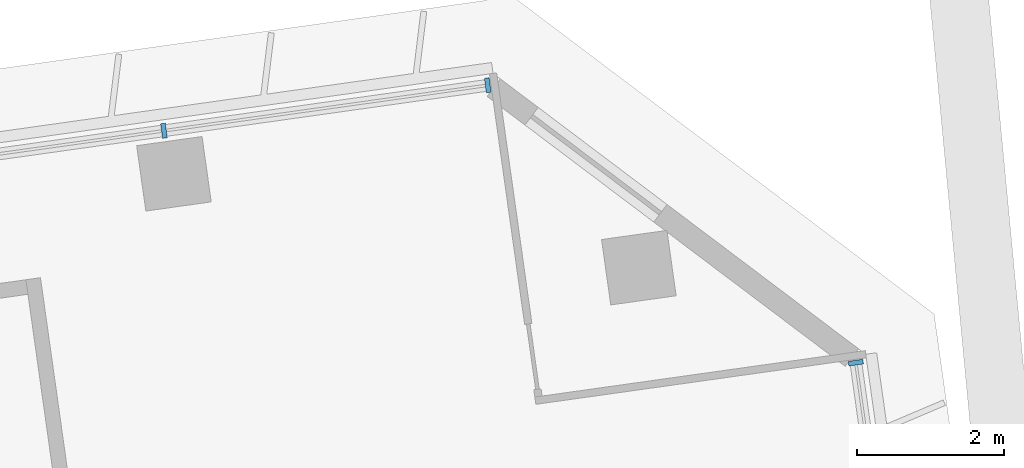
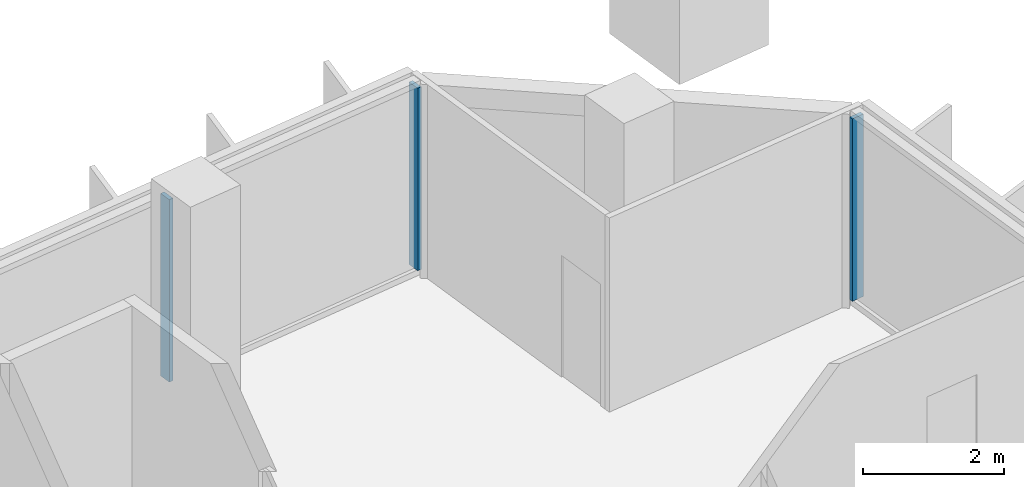
# One storey, part 18 of 33: 3 members, 2 elements without a shape of their own.
"""IFC4 building model written with IfcOpenShell, lengths in metres."""

from ifc_helpers import new_model, si_unit, direction, frame, origin, origin_2d, place, context, subcontext, project, spatial, rectangle, extrude, material, material_profile, profile_set, type_object, element, aggregate, save


model = new_model("IFC4")

# Units and contexts
model_context = context("Model", 3, precision=1e-05, world=origin(), true_north=direction((0.0, 1.0)))
body_context = subcontext(model_context, "Body", "Model", "MODEL_VIEW")
ifc_project = project(units=[si_unit("LENGTHUNIT", "METRE"), si_unit("AREAUNIT", "SQUARE_METRE"), si_unit("VOLUMEUNIT", "CUBIC_METRE"), si_unit("PLANEANGLEUNIT", "RADIAN"), si_unit("MASSUNIT", "GRAM", prefix="KILO")], contexts=[model_context])

# Site, building, storey
site_placement = place(None, origin())
site = spatial("IfcSite", under=ifc_project, at=site_placement, CompositionType="ELEMENT")
building_placement = place(site_placement, origin())
building = spatial("IfcBuilding", under=site, at=building_placement, Name="Mirante Cascada Hotel Towers", CompositionType="ELEMENT")
storey_placement = place(building_placement, frame((0.0, 0.0, 121.5)))
storey = spatial("IfcBuildingStorey", under=building, at=storey_placement, Name="L27", CompositionType="ELEMENT", Elevation=121.5)

# Curtain wall, members
ifc_material_1 = material(Name="Aluminium mullion and transom frame with clear laminated glass", Category="aluminium")
curtain_wall_type_1 = type_object("IfcCurtainWallType", Name="Ribbon curtain wall ECW1", PredefinedType="NOTDEFINED", material=ifc_material_1)
curtain_wall_1_placement = place(storey_placement, origin())
curtain_wall_1 = element("IfcCurtainWall", 1, at=curtain_wall_1_placement, inside=storey, type_object=curtain_wall_type_1, Name="Front ribbon wall T2 L27", PredefinedType="NOTDEFINED")
ifc_material_2 = material(Name="Anodised aluminium extrusion", Category="aluminium")
ifc_material_profile_1 = material_profile(ifc_material_2, rectangle(XDim=0.2, YDim=0.065, at=origin_2d()), Name="ECW1 MULLION 65x200")
ifc_profile_set_1 = profile_set([ifc_material_profile_1], Name="Anodised aluminium extrusion")
member_type_1 = type_object("IfcMemberType", Name="ECW1 mullion 65x200", PredefinedType="MULLION", material=ifc_profile_set_1)
member_1_placement = place(storey_placement, frame((94.126, 26.0476, 0.1), z_axis=(0.0, 0.0, 1.0), x_axis=(0.1391731, -0.9902681, 0.0)))
member_1 = element("IfcMember", 2, at=member_1_placement, type_object=member_type_1, Name="ECW1 mullion 1", PredefinedType="MULLION", context=body_context, shape_type="SweptSolid", body=[
    extrude(rectangle(XDim=0.2, YDim=0.065, at=origin_2d()), origin(), (0.0, 0.0, 1.0), 3.15),
])
member_2_placement = place(storey_placement, frame((89.7107, 25.427, 0.1), z_axis=(0.0, 0.0, 1.0), x_axis=(0.1391731, -0.9902681, 0.0)))
member_2 = element("IfcMember", 3, at=member_2_placement, type_object=member_type_1, Name="ECW1 mullion 2", PredefinedType="MULLION", context=body_context, shape_type="SweptSolid", body=[
    extrude(rectangle(XDim=0.2, YDim=0.065, at=origin_2d()), origin(), (0.0, 0.0, 1.0), 3.15),
])
aggregate(curtain_wall_1, [member_1, member_2])

# Curtain wall, member
ifc_material_3 = material(Name="Aluminium mullion and transom frame with clear laminated glass", Category="aluminium")
curtain_wall_type_2 = type_object("IfcCurtainWallType", Name="End ribbon curtain wall ECW2", PredefinedType="NOTDEFINED", material=ifc_material_3)
curtain_wall_2_placement = place(storey_placement, origin())
curtain_wall_2 = element("IfcCurtainWall", 4, at=curtain_wall_2_placement, inside=storey, type_object=curtain_wall_type_2, Name="Outer end wall T2 L27", PredefinedType="NOTDEFINED")
ifc_material_4 = material(Name="Anodised aluminium extrusion", Category="aluminium")
ifc_material_profile_2 = material_profile(ifc_material_4, rectangle(XDim=0.2, YDim=0.065, at=origin_2d()), Name="ECW2 MULLION 65x200")
ifc_profile_set_2 = profile_set([ifc_material_profile_2], Name="Anodised aluminium extrusion")
member_type_2 = type_object("IfcMemberType", Name="ECW2 mullion 65x200", PredefinedType="MULLION", material=ifc_profile_set_2)
member_3_placement = place(storey_placement, frame((99.1459, 22.2648, 0.1), z_axis=(0.0, 0.0, 1.0), x_axis=(-0.9902681, -0.1391731, 0.0)))
member_3 = element("IfcMember", 5, at=member_3_placement, type_object=member_type_2, Name="ECW2 mullion 7", PredefinedType="MULLION", context=body_context, shape_type="SweptSolid", body=[
    extrude(rectangle(XDim=0.2, YDim=0.065, at=origin_2d()), origin(), (0.0, 0.0, 1.0), 3.15),
])
aggregate(curtain_wall_2, [member_3])

save(model, "model.ifc")
